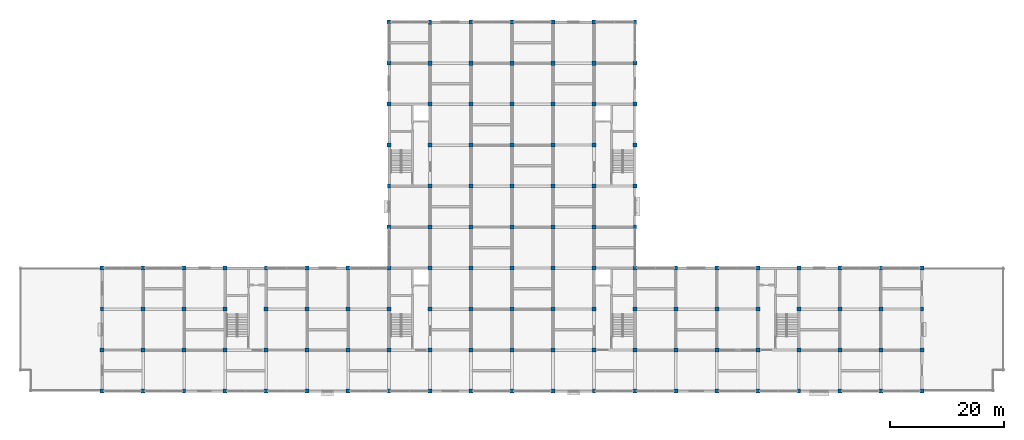
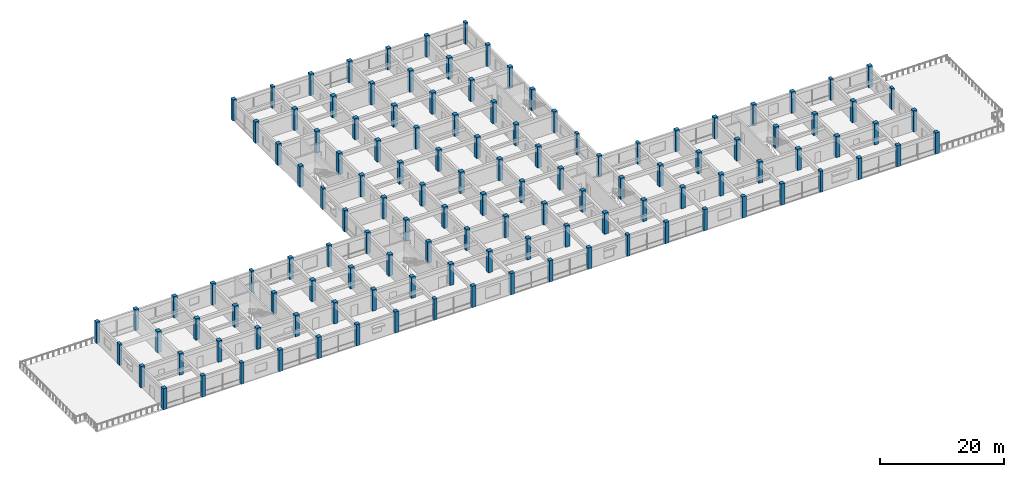
# One storey, part 1 of 31: 126 columns.
"""IFC4 building model written with IfcOpenShell, lengths in metres."""

from ifc_helpers import new_model, si_unit, direction, frame, origin, origin_2d, place, context, subcontext, project, spatial, rectangle, extrude, material, material_profile, profile_set, type_object, element, save


model = new_model("IFC4")

# Units and contexts
model_context = context("Model", 3, precision=1e-05, world=origin(), true_north=direction((0.0, 1.0)))
body_context = subcontext(model_context, "Body", "Model", "MODEL_VIEW")
ifc_project = project(units=[si_unit("LENGTHUNIT", "METRE"), si_unit("AREAUNIT", "SQUARE_METRE"), si_unit("VOLUMEUNIT", "CUBIC_METRE"), si_unit("PLANEANGLEUNIT", "RADIAN"), si_unit("MASSUNIT", "GRAM", prefix="KILO")], contexts=[model_context])

# Site, building, storey
site_placement = place(None, origin())
site = spatial("IfcSite", under=ifc_project, at=site_placement, CompositionType="ELEMENT")
building_placement = place(site_placement, origin())
building = spatial("IfcBuilding", under=site, at=building_placement, Name="Cendaluz Park School", CompositionType="ELEMENT")
storey_placement = place(building_placement, frame((0.0, 0.0, 14.39990234375)))
storey = spatial("IfcBuildingStorey", under=building, at=storey_placement, Name="L03", CompositionType="ELEMENT", Elevation=14.39990234375)

# Columns
ifc_material = material(Name="Concrete C40/50", Category="concrete")
ifc_material_profile_1 = material_profile(ifc_material, rectangle(XDim=0.5, YDim=0.75, at=origin_2d()), Name="RC 500x750", Category="concrete")
ifc_profile_set_1 = profile_set([ifc_material_profile_1], Name="Concrete C40/50")
column_type_1 = type_object("IfcColumnType", Name="C-PL01", PredefinedType="PILASTER", material=ifc_profile_set_1)
for number, where, z_axis, x_axis, name in (
    (1, (14.39990234375, 21.60009765625, 0.0), (0.0, 0.0, 1.0), (1.0, 0.0, 0.0), "C-L03-CPL01-003"),
    (2, (28.800048828125, 7.199951171875, 0.0), (0.0, 0.0, 1.0), (1.0, 0.0, 0.0), "C-L03-CPL01-009"),
    (3, (43.199951171875, 28.800048828125, 0.0), (0.0, 0.0, 1.0), (1.0, 0.0, 0.0), "C-L03-CPL01-020"),
    (4, (64.800048828125, 7.199951171875, 0.0), (0.0, 0.0, 1.0), (1.0, 0.0, 0.0), "C-L03-CPL01-029"),
    (5, (64.800048828125, 43.199951171875, 0.0), (0.0, 0.0, 1.0), (1.0, 0.0, 0.0), "C-L03-CPL01-034"),
    (6, (72.0, 72.0, 0.0), (0.0, 0.0, 1.0), (1.0, 0.0, 0.0), "C-L03-CPL01-048"),
    (7, (100.800048828125, 7.199951171875, 0.0), (0.0, 0.0, 1.0), (1.0, 0.0, 0.0), "C-L03-CPL01-079"),
    (8, (108.0, 36.0, 0.0), (0.0, 0.0, 1.0), (1.0, 0.0, 0.0), "C-L03-CPL01-093"),
    (9, (108.0, 72.0, 0.0), (0.0, 0.0, 1.0), (1.0, 0.0, 0.0), "C-L03-CPL01-098"),
    (10, (115.199951171875, 28.800048828125, 0.0), (0.0, 0.0, 1.0), (1.0, 0.0, 0.0), "C-L03-CPL01-102"),
    (11, (136.800048828125, 7.199951171875, 0.0), (0.0, 0.0, 1.0), (1.0, 0.0, 0.0), "C-L03-CPL01-111"),
    (12, (151.199951171875, 28.800048828125, 0.0), (0.0, 0.0, 1.0), (1.0, 0.0, 0.0), "C-L03-CPL01-122"),
    (13, (158.39990234375, 21.60009765625, 0.0), (0.0, 0.0, 1.0), (1.0, 0.0, 0.0), "C-L03-CPL01-125"),
):
    element("IfcColumn", number, at=place(storey_placement, frame(where, z_axis=z_axis, x_axis=x_axis)), inside=storey, type_object=column_type_1, Name=name, PredefinedType="PILASTER", context=body_context, shape_type="SweptSolid", body=[
        extrude(rectangle(XDim=0.5, YDim=0.75, at=origin_2d()), origin(), (0.0, 0.0, 1.0), 4.2001953125),
    ])
ifc_material_profile_2 = material_profile(ifc_material, rectangle(XDim=0.75, YDim=0.75, at=origin_2d()), Name="RC 750x750", Category="concrete")
ifc_profile_set_2 = profile_set([ifc_material_profile_2], Name="Concrete C40/50")
column_type_2 = type_object("IfcColumnType", Name="C-RC03", PredefinedType="COLUMN", material=ifc_profile_set_2)
for number, where, z_axis, x_axis, name in (
    (14, (21.60009765625, 14.39990234375, 0.0), (0.0, 0.0, 1.0), (1.0, 0.0, 0.0), "C-L03-CRC03-006"),
    (15, (21.60009765625, 21.60009765625, 0.0), (0.0, 0.0, 1.0), (1.0, 0.0, 0.0), "C-L03-CRC03-007"),
    (16, (28.800048828125, 14.39990234375, 0.0), (0.0, 0.0, 1.0), (1.0, 0.0, 0.0), "C-L03-CRC03-010"),
    (17, (28.800048828125, 21.60009765625, 0.0), (0.0, 0.0, 1.0), (1.0, 0.0, 0.0), "C-L03-CRC03-011"),
    (18, (36.0, 14.39990234375, 0.0), (0.0, 0.0, 1.0), (1.0, 0.0, 0.0), "C-L03-CRC03-014"),
    (19, (36.0, 21.60009765625, 0.0), (0.0, 0.0, 1.0), (1.0, 0.0, 0.0), "C-L03-CRC03-015"),
    (20, (43.199951171875, 14.39990234375, 0.0), (0.0, 0.0, 1.0), (1.0, 0.0, 0.0), "C-L03-CRC03-018"),
    (21, (43.199951171875, 21.60009765625, 0.0), (0.0, 0.0, 1.0), (1.0, 0.0, 0.0), "C-L03-CRC03-019"),
    (22, (50.39990234375, 14.39990234375, 0.0), (0.0, 0.0, 1.0), (1.0, 0.0, 0.0), "C-L03-CRC03-022"),
    (23, (50.39990234375, 21.60009765625, 0.0), (0.0, 0.0, 1.0), (1.0, 0.0, 0.0), "C-L03-CRC03-023"),
    (24, (57.60009765625, 14.39990234375, 0.0), (0.0, 0.0, 1.0), (1.0, 0.0, 0.0), "C-L03-CRC03-026"),
    (25, (57.60009765625, 21.60009765625, 0.0), (0.0, 0.0, 1.0), (1.0, 0.0, 0.0), "C-L03-CRC03-027"),
    (26, (64.800048828125, 14.39990234375, 0.0), (0.0, 0.0, 1.0), (1.0, 0.0, 0.0), "C-L03-CRC03-030"),
    (27, (64.800048828125, 21.60009765625, 0.0), (0.0, 0.0, 1.0), (1.0, 0.0, 0.0), "C-L03-CRC03-031"),
    (28, (72.0, 14.39990234375, 0.0), (0.0, 0.0, 1.0), (1.0, 0.0, 0.0), "C-L03-CRC03-040"),
    (29, (72.0, 21.60009765625, 0.0), (0.0, 0.0, 1.0), (1.0, 0.0, 0.0), "C-L03-CRC03-041"),
    (30, (72.0, 28.800048828125, 0.0), (0.0, 0.0, 1.0), (1.0, 0.0, 0.0), "C-L03-CRC03-042"),
    (31, (72.0, 36.0, 0.0), (0.0, 0.0, 1.0), (1.0, 0.0, 0.0), "C-L03-CRC03-043"),
    (32, (72.0, 43.199951171875, 0.0), (0.0, 0.0, 1.0), (1.0, 0.0, 0.0), "C-L03-CRC03-044"),
    (33, (72.0, 50.39990234375, 0.0), (0.0, 0.0, 1.0), (1.0, 0.0, 0.0), "C-L03-CRC03-045"),
    (34, (72.0, 57.60009765625, 0.0), (0.0, 0.0, 1.0), (1.0, 0.0, 0.0), "C-L03-CRC03-046"),
    (35, (72.0, 64.800048828125, 0.0), (0.0, 0.0, 1.0), (1.0, 0.0, 0.0), "C-L03-CRC03-047"),
    (36, (79.199951171875, 14.39990234375, 0.0), (0.0, 0.0, 1.0), (1.0, 0.0, 0.0), "C-L03-CRC03-050"),
    (37, (79.199951171875, 21.60009765625, 0.0), (0.0, 0.0, 1.0), (1.0, 0.0, 0.0), "C-L03-CRC03-051"),
    (38, (79.199951171875, 28.800048828125, 0.0), (0.0, 0.0, 1.0), (1.0, 0.0, 0.0), "C-L03-CRC03-052"),
    (39, (79.199951171875, 36.0, 0.0), (0.0, 0.0, 1.0), (1.0, 0.0, 0.0), "C-L03-CRC03-053"),
    (40, (79.199951171875, 43.199951171875, 0.0), (0.0, 0.0, 1.0), (1.0, 0.0, 0.0), "C-L03-CRC03-054"),
    (41, (79.199951171875, 50.39990234375, 0.0), (0.0, 0.0, 1.0), (1.0, 0.0, 0.0), "C-L03-CRC03-055"),
    (42, (79.199951171875, 57.60009765625, 0.0), (0.0, 0.0, 1.0), (1.0, 0.0, 0.0), "C-L03-CRC03-056"),
    (43, (79.199951171875, 64.800048828125, 0.0), (0.0, 0.0, 1.0), (1.0, 0.0, 0.0), "C-L03-CRC03-057"),
    (44, (86.39990234375, 14.39990234375, 0.0), (0.0, 0.0, 1.0), (1.0, 0.0, 0.0), "C-L03-CRC03-060"),
    (45, (86.39990234375, 21.60009765625, 0.0), (0.0, 0.0, 1.0), (1.0, 0.0, 0.0), "C-L03-CRC03-061"),
    (46, (86.39990234375, 28.800048828125, 0.0), (0.0, 0.0, 1.0), (1.0, 0.0, 0.0), "C-L03-CRC03-062"),
    (47, (86.39990234375, 36.0, 0.0), (0.0, 0.0, 1.0), (1.0, 0.0, 0.0), "C-L03-CRC03-063"),
    (48, (86.39990234375, 43.199951171875, 0.0), (0.0, 0.0, 1.0), (1.0, 0.0, 0.0), "C-L03-CRC03-064"),
    (49, (86.39990234375, 50.39990234375, 0.0), (0.0, 0.0, 1.0), (1.0, 0.0, 0.0), "C-L03-CRC03-065"),
    (50, (86.39990234375, 57.60009765625, 0.0), (0.0, 0.0, 1.0), (1.0, 0.0, 0.0), "C-L03-CRC03-066"),
    (51, (86.39990234375, 64.800048828125, 0.0), (0.0, 0.0, 1.0), (1.0, 0.0, 0.0), "C-L03-CRC03-067"),
    (52, (93.60009765625, 14.39990234375, 0.0), (0.0, 0.0, 1.0), (1.0, 0.0, 0.0), "C-L03-CRC03-070"),
    (53, (93.60009765625, 21.60009765625, 0.0), (0.0, 0.0, 1.0), (1.0, 0.0, 0.0), "C-L03-CRC03-071"),
    (54, (93.60009765625, 28.800048828125, 0.0), (0.0, 0.0, 1.0), (1.0, 0.0, 0.0), "C-L03-CRC03-072"),
    (55, (93.60009765625, 36.0, 0.0), (0.0, 0.0, 1.0), (1.0, 0.0, 0.0), "C-L03-CRC03-073"),
    (56, (93.60009765625, 43.199951171875, 0.0), (0.0, 0.0, 1.0), (1.0, 0.0, 0.0), "C-L03-CRC03-074"),
    (57, (93.60009765625, 50.39990234375, 0.0), (0.0, 0.0, 1.0), (1.0, 0.0, 0.0), "C-L03-CRC03-075"),
    (58, (93.60009765625, 57.60009765625, 0.0), (0.0, 0.0, 1.0), (1.0, 0.0, 0.0), "C-L03-CRC03-076"),
    (59, (93.60009765625, 64.800048828125, 0.0), (0.0, 0.0, 1.0), (1.0, 0.0, 0.0), "C-L03-CRC03-077"),
    (60, (100.800048828125, 14.39990234375, 0.0), (0.0, 0.0, 1.0), (1.0, 0.0, 0.0), "C-L03-CRC03-080"),
    (61, (100.800048828125, 21.60009765625, 0.0), (0.0, 0.0, 1.0), (1.0, 0.0, 0.0), "C-L03-CRC03-081"),
    (62, (100.800048828125, 28.800048828125, 0.0), (0.0, 0.0, 1.0), (1.0, 0.0, 0.0), "C-L03-CRC03-082"),
    (63, (100.800048828125, 36.0, 0.0), (0.0, 0.0, 1.0), (1.0, 0.0, 0.0), "C-L03-CRC03-083"),
    (64, (100.800048828125, 43.199951171875, 0.0), (0.0, 0.0, 1.0), (1.0, 0.0, 0.0), "C-L03-CRC03-084"),
    (65, (100.800048828125, 50.39990234375, 0.0), (0.0, 0.0, 1.0), (1.0, 0.0, 0.0), "C-L03-CRC03-085"),
    (66, (100.800048828125, 57.60009765625, 0.0), (0.0, 0.0, 1.0), (1.0, 0.0, 0.0), "C-L03-CRC03-086"),
    (67, (100.800048828125, 64.800048828125, 0.0), (0.0, 0.0, 1.0), (1.0, 0.0, 0.0), "C-L03-CRC03-087"),
    (68, (108.0, 14.39990234375, 0.0), (0.0, 0.0, 1.0), (1.0, 0.0, 0.0), "C-L03-CRC03-090"),
    (69, (108.0, 21.60009765625, 0.0), (0.0, 0.0, 1.0), (1.0, 0.0, 0.0), "C-L03-CRC03-091"),
    (70, (115.199951171875, 14.39990234375, 0.0), (0.0, 0.0, 1.0), (1.0, 0.0, 0.0), "C-L03-CRC03-100"),
    (71, (115.199951171875, 21.60009765625, 0.0), (0.0, 0.0, 1.0), (1.0, 0.0, 0.0), "C-L03-CRC03-101"),
    (72, (122.39990234375, 14.39990234375, 0.0), (0.0, 0.0, 1.0), (1.0, 0.0, 0.0), "C-L03-CRC03-104"),
    (73, (122.39990234375, 21.60009765625, 0.0), (0.0, 0.0, 1.0), (1.0, 0.0, 0.0), "C-L03-CRC03-105"),
    (74, (129.60009765625, 14.39990234375, 0.0), (0.0, 0.0, 1.0), (1.0, 0.0, 0.0), "C-L03-CRC03-108"),
    (75, (129.60009765625, 21.60009765625, 0.0), (0.0, 0.0, 1.0), (1.0, 0.0, 0.0), "C-L03-CRC03-109"),
    (76, (136.800048828125, 14.39990234375, 0.0), (0.0, 0.0, 1.0), (1.0, 0.0, 0.0), "C-L03-CRC03-112"),
    (77, (136.800048828125, 21.60009765625, 0.0), (0.0, 0.0, 1.0), (1.0, 0.0, 0.0), "C-L03-CRC03-113"),
    (78, (144.0, 14.39990234375, 0.0), (0.0, 0.0, 1.0), (1.0, 0.0, 0.0), "C-L03-CRC03-116"),
    (79, (144.0, 21.60009765625, 0.0), (0.0, 0.0, 1.0), (1.0, 0.0, 0.0), "C-L03-CRC03-117"),
    (80, (151.199951171875, 14.39990234375, 0.0), (0.0, 0.0, 1.0), (1.0, 0.0, 0.0), "C-L03-CRC03-120"),
    (81, (151.199951171875, 21.60009765625, 0.0), (0.0, 0.0, 1.0), (1.0, 0.0, 0.0), "C-L03-CRC03-121"),
):
    element("IfcColumn", number, at=place(storey_placement, frame(where, z_axis=z_axis, x_axis=x_axis)), inside=storey, type_object=column_type_2, Name=name, PredefinedType="COLUMN", context=body_context, shape_type="SweptSolid", body=[
        extrude(rectangle(XDim=0.75, YDim=0.75, at=origin_2d()), origin(), (0.0, 0.0, 1.0), 4.2001953125),
    ])
ifc_material_profile_3 = material_profile(ifc_material, rectangle(XDim=0.699951171875, YDim=0.699951171875, at=origin_2d()), Name="RC 700x700", Category="concrete")
ifc_profile_set_3 = profile_set([ifc_material_profile_3], Name="Concrete C40/50")
column_type_3 = type_object("IfcColumnType", Name="C-RC04", PredefinedType="COLUMN", material=ifc_profile_set_3)
for number, where, z_axis, x_axis, name in (
    (82, (14.39990234375, 7.199951171875, 0.0), (0.0, 0.0, 1.0), (1.0, 0.0, 0.0), "C-L03-CRC04-001"),
    (83, (14.39990234375, 14.39990234375, 0.0), (0.0, 0.0, 1.0), (1.0, 0.0, 0.0), "C-L03-CRC04-002"),
    (84, (14.39990234375, 28.800048828125, 0.0), (0.0, 0.0, 1.0), (1.0, 0.0, 0.0), "C-L03-CRC04-004"),
    (85, (21.60009765625, 7.199951171875, 0.0), (0.0, 0.0, 1.0), (1.0, 0.0, 0.0), "C-L03-CRC04-005"),
    (86, (21.60009765625, 28.800048828125, 0.0), (0.0, 0.0, 1.0), (1.0, 0.0, 0.0), "C-L03-CRC04-008"),
    (87, (28.800048828125, 28.800048828125, 0.0), (0.0, 0.0, 1.0), (1.0, 0.0, 0.0), "C-L03-CRC04-012"),
    (88, (36.0, 7.199951171875, 0.0), (0.0, 0.0, 1.0), (1.0, 0.0, 0.0), "C-L03-CRC04-013"),
    (89, (36.0, 28.800048828125, 0.0), (0.0, 0.0, 1.0), (1.0, 0.0, 0.0), "C-L03-CRC04-016"),
    (90, (43.199951171875, 7.199951171875, 0.0), (0.0, 0.0, 1.0), (1.0, 0.0, 0.0), "C-L03-CRC04-017"),
    (91, (50.39990234375, 7.199951171875, 0.0), (0.0, 0.0, 1.0), (1.0, 0.0, 0.0), "C-L03-CRC04-021"),
    (92, (50.39990234375, 28.800048828125, 0.0), (0.0, 0.0, 1.0), (1.0, 0.0, 0.0), "C-L03-CRC04-024"),
    (93, (57.60009765625, 7.199951171875, 0.0), (0.0, 0.0, 1.0), (1.0, 0.0, 0.0), "C-L03-CRC04-025"),
    (94, (57.60009765625, 28.800048828125, 0.0), (0.0, 0.0, 1.0), (1.0, 0.0, 0.0), "C-L03-CRC04-028"),
    (95, (64.800048828125, 28.800048828125, 0.0), (0.0, 0.0, 1.0), (1.0, 0.0, 0.0), "C-L03-CRC04-032"),
    (96, (64.800048828125, 36.0, 0.0), (0.0, 0.0, 1.0), (1.0, 0.0, 0.0), "C-L03-CRC04-033"),
    (97, (64.800048828125, 50.39990234375, 0.0), (0.0, 0.0, 1.0), (1.0, 0.0, 0.0), "C-L03-CRC04-035"),
    (98, (64.800048828125, 57.60009765625, 0.0), (0.0, 0.0, 1.0), (1.0, 0.0, 0.0), "C-L03-CRC04-036"),
    (99, (64.800048828125, 64.800048828125, 0.0), (0.0, 0.0, 1.0), (1.0, 0.0, 0.0), "C-L03-CRC04-037"),
    (100, (64.800048828125, 72.0, 0.0), (0.0, 0.0, 1.0), (1.0, 0.0, 0.0), "C-L03-CRC04-038"),
    (101, (72.0, 7.199951171875, 0.0), (0.0, 0.0, 1.0), (1.0, 0.0, 0.0), "C-L03-CRC04-039"),
    (102, (79.199951171875, 7.199951171875, 0.0), (0.0, 0.0, 1.0), (1.0, 0.0, 0.0), "C-L03-CRC04-049"),
    (103, (79.199951171875, 72.0, 0.0), (0.0, 0.0, 1.0), (1.0, 0.0, 0.0), "C-L03-CRC04-058"),
    (104, (86.39990234375, 7.199951171875, 0.0), (0.0, 0.0, 1.0), (1.0, 0.0, 0.0), "C-L03-CRC04-059"),
    (105, (86.39990234375, 72.0, 0.0), (0.0, 0.0, 1.0), (1.0, 0.0, 0.0), "C-L03-CRC04-068"),
    (106, (93.60009765625, 7.199951171875, 0.0), (0.0, 0.0, 1.0), (1.0, 0.0, 0.0), "C-L03-CRC04-069"),
    (107, (93.60009765625, 72.0, 0.0), (0.0, 0.0, 1.0), (1.0, 0.0, 0.0), "C-L03-CRC04-078"),
    (108, (100.800048828125, 72.0, 0.0), (0.0, 0.0, 1.0), (1.0, 0.0, 0.0), "C-L03-CRC04-088"),
    (109, (108.0, 7.199951171875, 0.0), (0.0, 0.0, 1.0), (1.0, 0.0, 0.0), "C-L03-CRC04-089"),
    (110, (108.0, 28.800048828125, 0.0), (0.0, 0.0, 1.0), (1.0, 0.0, 0.0), "C-L03-CRC04-092"),
    (111, (108.0, 43.199951171875, 0.0), (0.0, 0.0, 1.0), (1.0, 0.0, 0.0), "C-L03-CRC04-094"),
    (112, (108.0, 50.39990234375, 0.0), (0.0, 0.0, 1.0), (1.0, 0.0, 0.0), "C-L03-CRC04-095"),
    (113, (108.0, 57.60009765625, 0.0), (0.0, 0.0, 1.0), (1.0, 0.0, 0.0), "C-L03-CRC04-096"),
    (114, (108.0, 64.800048828125, 0.0), (0.0, 0.0, 1.0), (1.0, 0.0, 0.0), "C-L03-CRC04-097"),
    (115, (115.199951171875, 7.199951171875, 0.0), (0.0, 0.0, 1.0), (1.0, 0.0, 0.0), "C-L03-CRC04-099"),
    (116, (122.39990234375, 7.199951171875, 0.0), (0.0, 0.0, 1.0), (1.0, 0.0, 0.0), "C-L03-CRC04-103"),
    (117, (122.39990234375, 28.800048828125, 0.0), (0.0, 0.0, 1.0), (1.0, 0.0, 0.0), "C-L03-CRC04-106"),
    (118, (129.60009765625, 7.199951171875, 0.0), (0.0, 0.0, 1.0), (1.0, 0.0, 0.0), "C-L03-CRC04-107"),
    (119, (129.60009765625, 28.800048828125, 0.0), (0.0, 0.0, 1.0), (1.0, 0.0, 0.0), "C-L03-CRC04-110"),
    (120, (136.800048828125, 28.800048828125, 0.0), (0.0, 0.0, 1.0), (1.0, 0.0, 0.0), "C-L03-CRC04-114"),
    (121, (144.0, 7.199951171875, 0.0), (0.0, 0.0, 1.0), (1.0, 0.0, 0.0), "C-L03-CRC04-115"),
    (122, (144.0, 28.800048828125, 0.0), (0.0, 0.0, 1.0), (1.0, 0.0, 0.0), "C-L03-CRC04-118"),
    (123, (151.199951171875, 7.199951171875, 0.0), (0.0, 0.0, 1.0), (1.0, 0.0, 0.0), "C-L03-CRC04-119"),
    (124, (158.39990234375, 7.199951171875, 0.0), (0.0, 0.0, 1.0), (1.0, 0.0, 0.0), "C-L03-CRC04-123"),
    (125, (158.39990234375, 14.39990234375, 0.0), (0.0, 0.0, 1.0), (1.0, 0.0, 0.0), "C-L03-CRC04-124"),
    (126, (158.39990234375, 28.800048828125, 0.0), (0.0, 0.0, 1.0), (1.0, 0.0, 0.0), "C-L03-CRC04-126"),
):
    element("IfcColumn", number, at=place(storey_placement, frame(where, z_axis=z_axis, x_axis=x_axis)), inside=storey, type_object=column_type_3, Name=name, PredefinedType="COLUMN", context=body_context, shape_type="SweptSolid", body=[
        extrude(rectangle(XDim=0.699951171875, YDim=0.699951171875, at=origin_2d()), origin(), (0.0, 0.0, 1.0), 4.2001953125),
    ])

save(model, "model.ifc")
